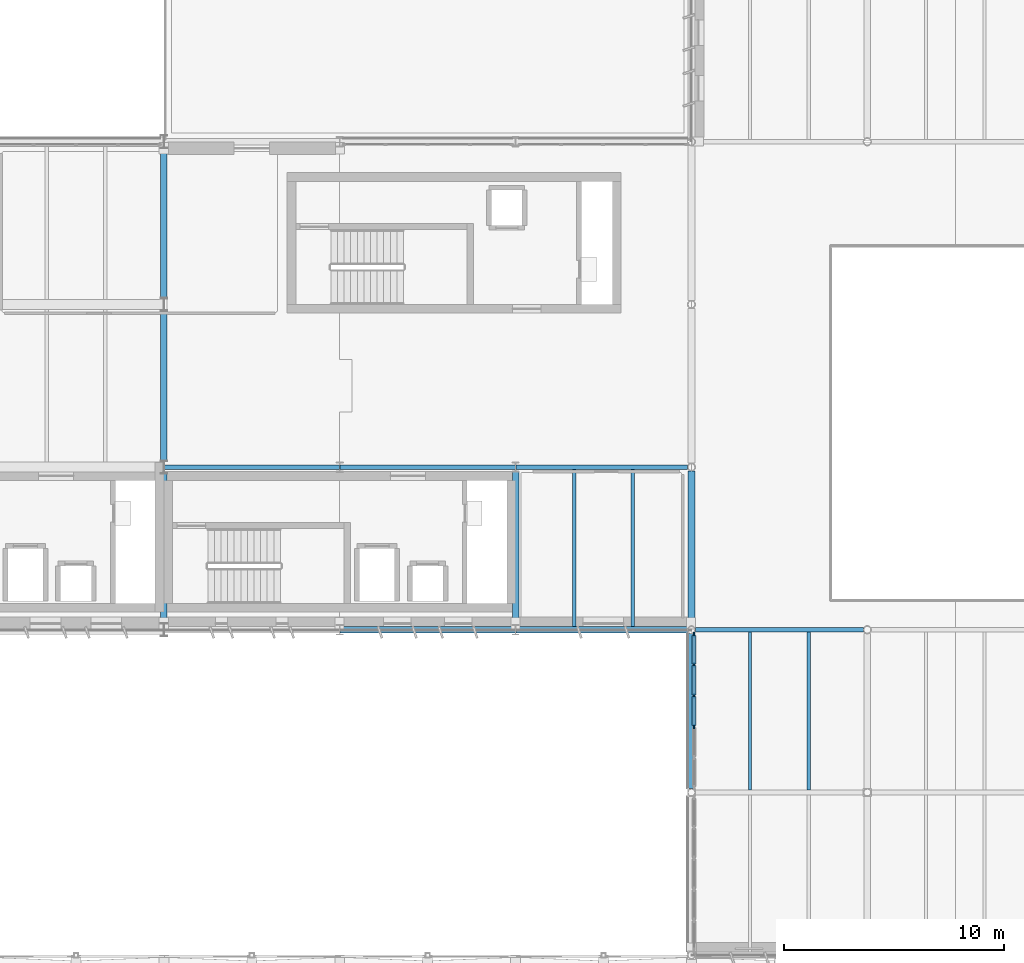
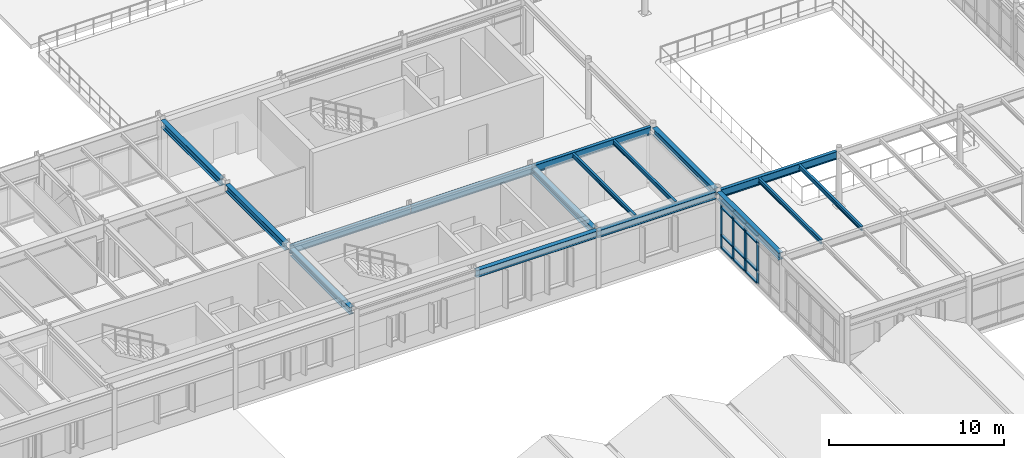
# One storey, part 18 of 63: 16 beams, 16 members, 1 element without a shape of its own.
"""IFC4 building model written with IfcOpenShell, lengths in metres."""

from ifc_helpers import new_model, si_unit, direction, frame, origin, origin_2d, place, context, subcontext, project, spatial, rectangle, i_section, extrude, material, layer, layer_set, material_profile, profile_set, type_object, element, aggregate, save


model = new_model("IFC4")

# Units and contexts
model_context = context("Model", 3, precision=1e-05, world=origin(), true_north=direction((0.0, 1.0)))
body_context = subcontext(model_context, "Body", "Model", "MODEL_VIEW")
ifc_project = project(units=[si_unit("LENGTHUNIT", "METRE"), si_unit("AREAUNIT", "SQUARE_METRE"), si_unit("VOLUMEUNIT", "CUBIC_METRE"), si_unit("PLANEANGLEUNIT", "RADIAN"), si_unit("MASSUNIT", "GRAM", prefix="KILO")], contexts=[model_context])

# Site, building, storey
site_placement = place(None, origin())
site = spatial("IfcSite", under=ifc_project, at=site_placement, CompositionType="ELEMENT")
building_placement = place(site_placement, origin())
building = spatial("IfcBuilding", under=site, at=building_placement, Name="Valkorina Park Police Headquarters", CompositionType="ELEMENT")
storey_placement = place(building_placement, frame((0.0, 0.0, 9.89990234375)))
storey = spatial("IfcBuildingStorey", under=building, at=storey_placement, Name="L03", CompositionType="ELEMENT", Elevation=9.89990234375)

# Beams
ifc_material_1 = material(Name="Steel S355", Category="steel")
ifc_material_profile_1 = material_profile(ifc_material_1, i_section(OverallWidth=0.300048828125, OverallDepth=0.489990234375, WebThickness=0.011962890625, FlangeThickness=0.02294921875, FilletRadius=0.027099609375, at=origin_2d()), Name="HEA 500")
ifc_profile_set_1 = profile_set([ifc_material_profile_1], Name="Steel S355")
beam_type_1 = type_object("IfcBeamType", Name="BM-S355-HEA500-BM", PredefinedType="BEAM", material=ifc_profile_set_1)
for number, where, z_axis, x_axis, name in (
    (1, (32.800048828125, 37.300048828125, 3.710205078125), (0.0, 1.0, 0.0), (-1.0, 0.0, 0.0), "L03 Framing Beam 1987"),
    (2, (32.800048828125, 44.699951171875, 3.710205078125), (0.0, 1.0, 0.0), (-1.0, 0.0, 0.0), "L03 Framing Beam 1988"),
):
    element("IfcBeam", number, at=place(storey_placement, frame(where, z_axis=z_axis, x_axis=x_axis)), inside=storey, type_object=beam_type_1, Name=name, PredefinedType="BEAM", context=body_context, shape_type="SweptSolid", body=[
        extrude(i_section(OverallWidth=0.300048828125, OverallDepth=0.489990234375, WebThickness=0.011962890625, FlangeThickness=0.02294921875, FilletRadius=0.027099609375, at=origin_2d()), origin(), (0.0, 0.0, 1.0), 6.800048828125),
    ])
beam_1_placement = place(storey_placement, frame((32.800048828125, 52.10009765625, 3.710205078125), z_axis=(0.0, 1.0, 0.0), x_axis=(-1.0, 0.0, 0.0)))
element("IfcBeam", 3, at=beam_1_placement, inside=storey, type_object=beam_type_1, Name="L03 Framing Beam 1989", PredefinedType="BEAM", context=body_context, shape_type="SweptSolid", body=[
    extrude(i_section(OverallWidth=0.300048828125, OverallDepth=0.489990234375, WebThickness=0.011962890625, FlangeThickness=0.02294921875, FilletRadius=0.027099609375, at=origin_2d()), origin(), (0.0, 0.0, 1.0), 6.7998046875),
])
beam_2_placement = place(storey_placement, frame((48.800048828125, 37.22509765625, 3.710205078125), z_axis=(0.0, 1.0, 0.0), x_axis=(-1.0, 0.0, 0.0)))
element("IfcBeam", 4, at=beam_2_placement, inside=storey, type_object=beam_type_1, Name="L03 Framing Beam 1990", PredefinedType="BEAM", context=body_context, shape_type="SweptSolid", body=[
    extrude(i_section(OverallWidth=0.300048828125, OverallDepth=0.489990234375, WebThickness=0.011962890625, FlangeThickness=0.02294921875, FilletRadius=0.027099609375, at=origin_2d()), origin(), (0.0, 0.0, 1.0), 6.949951171875),
])
beam_3_placement = place(storey_placement, frame((56.800048828125, 37.177734375, 3.675048828125), z_axis=(0.0, 1.0, 0.0), x_axis=(-1.0, 0.0, 0.0)))
element("IfcBeam", 5, at=beam_3_placement, inside=storey, type_object=beam_type_1, Name="L03 Framing Beam 1999", PredefinedType="BEAM", context=body_context, shape_type="SweptSolid", body=[
    extrude(i_section(OverallWidth=0.300048828125, OverallDepth=0.489990234375, WebThickness=0.011962890625, FlangeThickness=0.02294921875, FilletRadius=0.027099609375, at=origin_2d()), origin(), (0.0, 0.0, 1.0), 7.04443359375),
])
ifc_material_profile_2 = material_profile(ifc_material_1, i_section(OverallWidth=0.300048828125, OverallDepth=0.489990234375, WebThickness=0.011962890625, FlangeThickness=0.02294921875, FilletRadius=0.027099609375, at=origin_2d()), Name="HEA 500")
ifc_profile_set_2 = profile_set([ifc_material_profile_2], Name="Steel S355")
beam_type_2 = type_object("IfcBeamType", Name="BM-S355-HEA500-SPN", PredefinedType="SPANDREL", material=ifc_profile_set_2)
beam_4_placement = place(storey_placement, frame((40.806884765625, 37.0, 3.710205078125), z_axis=(1.0, 0.0, 0.0), x_axis=(0.0, 1.0, 0.0)))
element("IfcBeam", 6, at=beam_4_placement, inside=storey, type_object=beam_type_2, Name="L03 Framing Beam 1857", PredefinedType="SPANDREL", context=body_context, shape_type="SweptSolid", body=[
    extrude(i_section(OverallWidth=0.300048828125, OverallDepth=0.489990234375, WebThickness=0.011962890625, FlangeThickness=0.02294921875, FilletRadius=0.027099609375, at=origin_2d()), origin(), (0.0, 0.0, 1.0), 7.986083984375),
])
beam_5_placement = place(storey_placement, frame((48.806884765625, 37.0, 3.675048828125), z_axis=(1.0, 0.0, 0.0), x_axis=(0.0, 1.0, 0.0)))
element("IfcBeam", 7, at=beam_5_placement, inside=storey, type_object=beam_type_2, Name="L03 Framing Beam 1858", PredefinedType="SPANDREL", context=body_context, shape_type="SweptSolid", body=[
    extrude(i_section(OverallWidth=0.300048828125, OverallDepth=0.489990234375, WebThickness=0.011962890625, FlangeThickness=0.02294921875, FilletRadius=0.027099609375, at=origin_2d()), origin(), (0.0, 0.0, 1.0), 7.8154296875),
])
beam_6_placement = place(storey_placement, frame((56.800048828125, 29.77783203125, 3.675048828125), z_axis=(0.0, 1.0, 0.0), x_axis=(-1.0, 0.0, 0.0)))
element("IfcBeam", 8, at=beam_6_placement, inside=storey, type_object=beam_type_2, Name="L03 Framing Beam 1996", PredefinedType="SPANDREL", context=body_context, shape_type="SweptSolid", body=[
    extrude(i_section(OverallWidth=0.300048828125, OverallDepth=0.489990234375, WebThickness=0.011962890625, FlangeThickness=0.02294921875, FilletRadius=0.027099609375, at=origin_2d()), origin(), (0.0, 0.0, 1.0), 7.04443359375),
])
ifc_material_profile_3 = material_profile(ifc_material_1, i_section(OverallWidth=0.14990234375, OverallDepth=0.300048828125, WebThickness=0.007080078125, FlangeThickness=0.0107421875, FilletRadius=0.014892578125, at=origin_2d()), Name="IPE 300")
ifc_profile_set_3 = profile_set([ifc_material_profile_3], Name="Steel S355")
beam_type_3 = type_object("IfcBeamType", Name="BM-S355-IPE300-JST", PredefinedType="JOIST", material=ifc_profile_set_3)
for number, where, z_axis, x_axis, name in (
    (9, (51.466796875, 37.14990234375, 3.80517578125), (0.0, 1.0, 0.0), (-1.0, 0.0, 0.0), "L03 Framing Beam 1991"),
    (10, (54.13330078125, 37.14990234375, 3.80517578125), (0.0, 1.0, 0.0), (-1.0, 0.0, 0.0), "L03 Framing Beam 1992"),
):
    element("IfcBeam", number, at=place(storey_placement, frame(where, z_axis=z_axis, x_axis=x_axis)), inside=storey, type_object=beam_type_3, Name=name, PredefinedType="JOIST", context=body_context, shape_type="SweptSolid", body=[
        extrude(i_section(OverallWidth=0.14990234375, OverallDepth=0.300048828125, WebThickness=0.007080078125, FlangeThickness=0.0107421875, FilletRadius=0.014892578125, at=origin_2d()), origin(), (0.0, 0.0, 1.0), 7.14501953125),
    ])
for number, where, z_axis, x_axis, name in (
    (11, (59.466796875, 29.705078125, 3.77001953125), (0.0, 1.0, 0.0), (-1.0, 0.0, 0.0), "L03 Framing Beam 1997"),
    (12, (62.13330078125, 29.705078125, 3.77001953125), (0.0, 1.0, 0.0), (-1.0, 0.0, 0.0), "L03 Framing Beam 1998"),
):
    element("IfcBeam", number, at=place(storey_placement, frame(where, z_axis=z_axis, x_axis=x_axis)), inside=storey, type_object=beam_type_3, Name=name, PredefinedType="JOIST", context=body_context, shape_type="SweptSolid", body=[
        extrude(i_section(OverallWidth=0.14990234375, OverallDepth=0.300048828125, WebThickness=0.007080078125, FlangeThickness=0.0107421875, FilletRadius=0.014892578125, at=origin_2d()), origin(), (0.0, 0.0, 1.0), 7.18994140625),
    ])
ifc_material_profile_4 = material_profile(ifc_material_1, i_section(OverallWidth=0.2099609375, OverallDepth=0.550048828125, WebThickness=0.010986328125, FlangeThickness=0.01708984375, FilletRadius=0.02392578125, at=origin_2d()), Name="IPE 550")
ifc_profile_set_4 = profile_set([ifc_material_profile_4], Name="Steel S355")
beam_type_4 = type_object("IfcBeamType", Name="BM-S355-IPE550-BM", PredefinedType="BEAM", material=ifc_profile_set_4)
beam_7_placement = place(storey_placement, frame((56.977783203125, 37.0, 3.64501953125), z_axis=(1.0, 0.0, 0.0), x_axis=(0.0, 1.0, 0.0)))
element("IfcBeam", 13, at=beam_7_placement, inside=storey, type_object=beam_type_4, Name="L03 Framing Beam 1859", PredefinedType="BEAM", context=body_context, shape_type="SweptSolid", body=[
    extrude(i_section(OverallWidth=0.2099609375, OverallDepth=0.550048828125, WebThickness=0.010986328125, FlangeThickness=0.01708984375, FilletRadius=0.02392578125, at=origin_2d()), origin(), (0.0, 0.0, 1.0), 7.64453125),
])
beam_8_placement = place(storey_placement, frame((32.8076171875, 44.39990234375, 3.68017578125), z_axis=(1.0, 0.0, 0.0), x_axis=(0.0, 1.0, 0.0)))
element("IfcBeam", 14, at=beam_8_placement, inside=storey, type_object=beam_type_4, Name="L03 Framing Beam 1874", PredefinedType="BEAM", context=body_context, shape_type="SweptSolid", body=[
    extrude(i_section(OverallWidth=0.2099609375, OverallDepth=0.550048828125, WebThickness=0.010986328125, FlangeThickness=0.01708984375, FilletRadius=0.02392578125, at=origin_2d()), origin(), (0.0, 0.0, 1.0), 7.9853515625),
])
beam_9_placement = place(storey_placement, frame((40.806884765625, 44.39990234375, 3.68017578125), z_axis=(1.0, 0.0, 0.0), x_axis=(0.0, 1.0, 0.0)))
element("IfcBeam", 15, at=beam_9_placement, inside=storey, type_object=beam_type_4, Name="L03 Framing Beam 1875", PredefinedType="BEAM", context=body_context, shape_type="SweptSolid", body=[
    extrude(i_section(OverallWidth=0.2099609375, OverallDepth=0.550048828125, WebThickness=0.010986328125, FlangeThickness=0.01708984375, FilletRadius=0.02392578125, at=origin_2d()), origin(), (0.0, 0.0, 1.0), 7.986083984375),
])
beam_10_placement = place(storey_placement, frame((48.806884765625, 44.39990234375, 3.68017578125), z_axis=(1.0, 0.0, 0.0), x_axis=(0.0, 1.0, 0.0)))
element("IfcBeam", 16, at=beam_10_placement, inside=storey, type_object=beam_type_4, Name="L03 Framing Beam 1876", PredefinedType="BEAM", context=body_context, shape_type="SweptSolid", body=[
    extrude(i_section(OverallWidth=0.2099609375, OverallDepth=0.550048828125, WebThickness=0.010986328125, FlangeThickness=0.01708984375, FilletRadius=0.02392578125, at=origin_2d()), origin(), (0.0, 0.0, 1.0), 7.8154296875),
])

# Curtain wall, members
ifc_material_2 = material(Name="Thermally broken aluminium AW-6060", Category="aluminium")
ifc_layer = layer(ifc_material_2, 0.18994140625)
ifc_layer_set = layer_set([ifc_layer], Name="Thermally broken aluminium AW-6060")
curtain_wall_type = type_object("IfcCurtainWallType", Name="CW-V4-7020x3360", PredefinedType="NOTDEFINED", material=ifc_layer_set)
curtain_wall_placement = place(storey_placement, origin())
curtain_wall = element("IfcCurtainWall", 17, at=curtain_wall_placement, inside=storey, type_object=curtain_wall_type, Name="L03 Unitised Curtain Wall 029", PredefinedType="NOTDEFINED")
ifc_material_profile_5 = material_profile(ifc_material_2, rectangle(XDim=0.080078125, YDim=0.219970703125, at=origin_2d()), Name="CWM-03 80x220")
ifc_profile_set_5 = profile_set([ifc_material_profile_5], Name="Thermally broken aluminium AW-6060")
member_type_1 = type_object("IfcMemberType", Name="CWM-80x220", PredefinedType="MULLION", material=ifc_profile_set_5)
member_1_placement = place(storey_placement, frame((56.919921875, 32.59765625, 0.0), z_axis=(0.0, 0.0, 1.0), x_axis=(-1.0, 0.0, 0.0)))
member_1 = element("IfcMember", 18, at=member_1_placement, type_object=member_type_1, Name="CW-V4-702-336 mullion 3", PredefinedType="MULLION", context=body_context, shape_type="SweptSolid", body=[
    extrude(rectangle(XDim=0.080078125, YDim=0.219970703125, at=origin_2d()), origin(), (0.0, 0.0, 1.0), 3.360107421875),
])
member_2_placement = place(storey_placement, frame((56.919921875, 34.00244140625, 0.0), z_axis=(0.0, 0.0, 1.0), x_axis=(-1.0, 0.0, 0.0)))
member_2 = element("IfcMember", 19, at=member_2_placement, type_object=member_type_1, Name="CW-V4-702-336 mullion 4", PredefinedType="MULLION", context=body_context, shape_type="SweptSolid", body=[
    extrude(rectangle(XDim=0.080078125, YDim=0.219970703125, at=origin_2d()), origin(), (0.0, 0.0, 1.0), 3.360107421875),
])
member_3_placement = place(storey_placement, frame((56.919921875, 35.4072265625, 0.0), z_axis=(0.0, 0.0, 1.0), x_axis=(-1.0, 0.0, 0.0)))
member_3 = element("IfcMember", 20, at=member_3_placement, type_object=member_type_1, Name="CW-V4-702-336 mullion 5", PredefinedType="MULLION", context=body_context, shape_type="SweptSolid", body=[
    extrude(rectangle(XDim=0.080078125, YDim=0.219970703125, at=origin_2d()), origin(), (0.0, 0.0, 1.0), 3.360107421875),
])
member_4_placement = place(storey_placement, frame((56.919921875, 36.772216796875, 0.0), z_axis=(0.0, 0.0, 1.0), x_axis=(-1.0, 0.0, 0.0)))
member_4 = element("IfcMember", 21, at=member_4_placement, type_object=member_type_1, Name="CW-V4-702-336 mullion 6", PredefinedType="MULLION", context=body_context, shape_type="SweptSolid", body=[
    extrude(rectangle(XDim=0.080078125, YDim=0.219970703125, at=origin_2d()), origin(), (0.0, 0.0, 1.0), 3.360107421875),
])
ifc_material_profile_6 = material_profile(ifc_material_2, rectangle(XDim=0.179931640625, YDim=0.080078125, at=origin_2d()), Name="CWT-03 180x80")
ifc_profile_set_6 = profile_set([ifc_material_profile_6], Name="Thermally broken aluminium AW-6060")
member_type_2 = type_object("IfcMemberType", Name="CWT-180x80", PredefinedType="USERDEFINED", material=ifc_profile_set_6)
member_5_placement = place(storey_placement, frame((56.919921875, 32.637451171875, 0.0400390625), z_axis=(0.0, 1.0, 0.0), x_axis=(-1.0, 0.0, 0.0)))
member_5 = element("IfcMember", 22, at=member_5_placement, type_object=member_type_2, Name="CW-V4-702-336 transom 3.1", ObjectType="TRANSOM", PredefinedType="USERDEFINED", context=body_context, shape_type="SweptSolid", body=[
    extrude(rectangle(XDim=0.179931640625, YDim=0.080078125, at=origin_2d()), origin(), (0.0, 0.0, 1.0), 1.324951171875),
])
member_6_placement = place(storey_placement, frame((56.919921875, 32.637451171875, 0.900146484375), z_axis=(0.0, 1.0, 0.0), x_axis=(-1.0, 0.0, 0.0)))
member_6 = element("IfcMember", 23, at=member_6_placement, type_object=member_type_2, Name="CW-V4-702-336 transom 3.2", ObjectType="TRANSOM", PredefinedType="USERDEFINED", context=body_context, shape_type="SweptSolid", body=[
    extrude(rectangle(XDim=0.179931640625, YDim=0.080078125, at=origin_2d()), origin(), (0.0, 0.0, 1.0), 1.324951171875),
])
member_7_placement = place(storey_placement, frame((56.919921875, 32.637451171875, 2.840087890625), z_axis=(0.0, 1.0, 0.0), x_axis=(-1.0, 0.0, 0.0)))
member_7 = element("IfcMember", 24, at=member_7_placement, type_object=member_type_2, Name="CW-V4-702-336 transom 3.3", ObjectType="TRANSOM", PredefinedType="USERDEFINED", context=body_context, shape_type="SweptSolid", body=[
    extrude(rectangle(XDim=0.179931640625, YDim=0.080078125, at=origin_2d()), origin(), (0.0, 0.0, 1.0), 1.324951171875),
])
member_8_placement = place(storey_placement, frame((56.919921875, 32.637451171875, 3.320068359375), z_axis=(0.0, 1.0, 0.0), x_axis=(-1.0, 0.0, 0.0)))
member_8 = element("IfcMember", 25, at=member_8_placement, type_object=member_type_2, Name="CW-V4-702-336 transom 3.4", ObjectType="TRANSOM", PredefinedType="USERDEFINED", context=body_context, shape_type="SweptSolid", body=[
    extrude(rectangle(XDim=0.179931640625, YDim=0.080078125, at=origin_2d()), origin(), (0.0, 0.0, 1.0), 1.324951171875),
])
member_9_placement = place(storey_placement, frame((56.919921875, 34.04248046875, 0.0400390625), z_axis=(0.0, 1.0, 0.0), x_axis=(-1.0, 0.0, 0.0)))
member_9 = element("IfcMember", 26, at=member_9_placement, type_object=member_type_2, Name="CW-V4-702-336 transom 4.1", ObjectType="TRANSOM", PredefinedType="USERDEFINED", context=body_context, shape_type="SweptSolid", body=[
    extrude(rectangle(XDim=0.179931640625, YDim=0.080078125, at=origin_2d()), origin(), (0.0, 0.0, 1.0), 1.324951171875),
])
member_10_placement = place(storey_placement, frame((56.919921875, 34.04248046875, 0.900146484375), z_axis=(0.0, 1.0, 0.0), x_axis=(-1.0, 0.0, 0.0)))
member_10 = element("IfcMember", 27, at=member_10_placement, type_object=member_type_2, Name="CW-V4-702-336 transom 4.2", ObjectType="TRANSOM", PredefinedType="USERDEFINED", context=body_context, shape_type="SweptSolid", body=[
    extrude(rectangle(XDim=0.179931640625, YDim=0.080078125, at=origin_2d()), origin(), (0.0, 0.0, 1.0), 1.324951171875),
])
member_11_placement = place(storey_placement, frame((56.919921875, 34.04248046875, 2.840087890625), z_axis=(0.0, 1.0, 0.0), x_axis=(-1.0, 0.0, 0.0)))
member_11 = element("IfcMember", 28, at=member_11_placement, type_object=member_type_2, Name="CW-V4-702-336 transom 4.3", ObjectType="TRANSOM", PredefinedType="USERDEFINED", context=body_context, shape_type="SweptSolid", body=[
    extrude(rectangle(XDim=0.179931640625, YDim=0.080078125, at=origin_2d()), origin(), (0.0, 0.0, 1.0), 1.324951171875),
])
member_12_placement = place(storey_placement, frame((56.919921875, 34.04248046875, 3.320068359375), z_axis=(0.0, 1.0, 0.0), x_axis=(-1.0, 0.0, 0.0)))
member_12 = element("IfcMember", 29, at=member_12_placement, type_object=member_type_2, Name="CW-V4-702-336 transom 4.4", ObjectType="TRANSOM", PredefinedType="USERDEFINED", context=body_context, shape_type="SweptSolid", body=[
    extrude(rectangle(XDim=0.179931640625, YDim=0.080078125, at=origin_2d()), origin(), (0.0, 0.0, 1.0), 1.324951171875),
])
member_13_placement = place(storey_placement, frame((56.919921875, 35.447265625, 0.0400390625), z_axis=(0.0, 1.0, 0.0), x_axis=(-1.0, 0.0, 0.0)))
member_13 = element("IfcMember", 30, at=member_13_placement, type_object=member_type_2, Name="CW-V4-702-336 transom 5.1", ObjectType="TRANSOM", PredefinedType="USERDEFINED", context=body_context, shape_type="SweptSolid", body=[
    extrude(rectangle(XDim=0.179931640625, YDim=0.080078125, at=origin_2d()), origin(), (0.0, 0.0, 1.0), 1.284912109375),
])
member_14_placement = place(storey_placement, frame((56.919921875, 35.447265625, 0.900146484375), z_axis=(0.0, 1.0, 0.0), x_axis=(-1.0, 0.0, 0.0)))
member_14 = element("IfcMember", 31, at=member_14_placement, type_object=member_type_2, Name="CW-V4-702-336 transom 5.2", ObjectType="TRANSOM", PredefinedType="USERDEFINED", context=body_context, shape_type="SweptSolid", body=[
    extrude(rectangle(XDim=0.179931640625, YDim=0.080078125, at=origin_2d()), origin(), (0.0, 0.0, 1.0), 1.284912109375),
])
member_15_placement = place(storey_placement, frame((56.919921875, 35.447265625, 2.840087890625), z_axis=(0.0, 1.0, 0.0), x_axis=(-1.0, 0.0, 0.0)))
member_15 = element("IfcMember", 32, at=member_15_placement, type_object=member_type_2, Name="CW-V4-702-336 transom 5.3", ObjectType="TRANSOM", PredefinedType="USERDEFINED", context=body_context, shape_type="SweptSolid", body=[
    extrude(rectangle(XDim=0.179931640625, YDim=0.080078125, at=origin_2d()), origin(), (0.0, 0.0, 1.0), 1.284912109375),
])
member_16_placement = place(storey_placement, frame((56.919921875, 35.447265625, 3.320068359375), z_axis=(0.0, 1.0, 0.0), x_axis=(-1.0, 0.0, 0.0)))
member_16 = element("IfcMember", 33, at=member_16_placement, type_object=member_type_2, Name="CW-V4-702-336 transom 5.4", ObjectType="TRANSOM", PredefinedType="USERDEFINED", context=body_context, shape_type="SweptSolid", body=[
    extrude(rectangle(XDim=0.179931640625, YDim=0.080078125, at=origin_2d()), origin(), (0.0, 0.0, 1.0), 1.284912109375),
])
aggregate(curtain_wall, [member_1, member_2, member_3, member_4, member_5, member_6, member_7, member_8, member_9, member_10, member_11, member_12, member_13, member_14, member_15, member_16])

save(model, "model.ifc")
